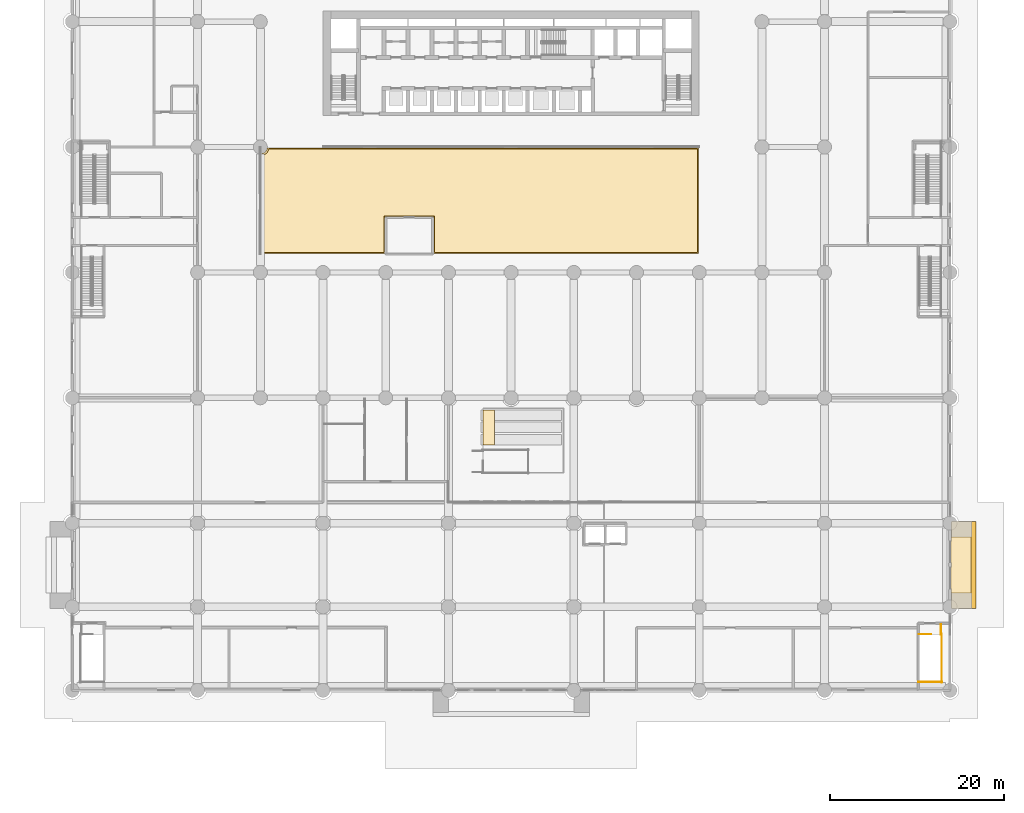
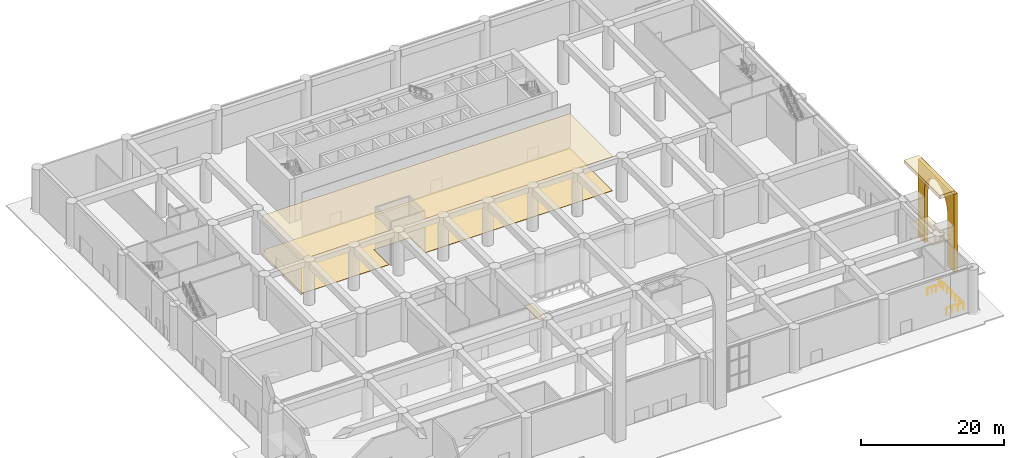
# One storey, part 27 of 32: 6 coverings, 4 railings.
"""IFC4 building model written with IfcOpenShell, lengths in metres."""

from ifc_helpers import new_model, si_unit, direction, frame, origin, origin_2d, place, context, subcontext, project, spatial, polyline, circle, outline, extrude, material, layer, layer_set, type_object, element, save


model = new_model("IFC4")

# Units and contexts
model_context = context("Model", 3, precision=1e-05, world=origin(), true_north=direction((0.0, 1.0)))
body_context = subcontext(model_context, "Body", "Model", "MODEL_VIEW")
ifc_project = project(units=[si_unit("LENGTHUNIT", "METRE"), si_unit("AREAUNIT", "SQUARE_METRE"), si_unit("VOLUMEUNIT", "CUBIC_METRE"), si_unit("PLANEANGLEUNIT", "RADIAN"), si_unit("MASSUNIT", "GRAM", prefix="KILO")], contexts=[model_context])

# Site, building, storey
site_placement = place(None, origin())
site = spatial("IfcSite", under=ifc_project, at=site_placement, CompositionType="ELEMENT")
building_placement = place(site_placement, origin())
building = spatial("IfcBuilding", under=site, at=building_placement, Name="Saffron Iwan Residences", CompositionType="ELEMENT")
storey_placement = place(building_placement, origin())
storey = spatial("IfcBuildingStorey", under=building, at=storey_placement, Name="L00", CompositionType="ELEMENT", Elevation=0.0)

# Coverings
ifc_material_1 = material(Name="Clear glass", Category="glass")
ifc_layer_1 = layer(ifc_material_1, 0.1201171875)
ifc_layer_set_1 = layer_set([ifc_layer_1], Name="Clear glass")
covering_type_1 = type_object("IfcCoveringType", Name="Entrance canopy, glass on steel", PredefinedType="CLADDING", material=ifc_layer_set_1)
covering_1_placement = place(storey_placement, frame((0.0, 0.0, 4.199951171875)))
element("IfcCovering", 1, at=covering_1_placement, inside=storey, type_object=covering_type_1, Name="Station entrance canopy", PredefinedType="CLADDING", context=body_context, shape_type="SweptSolid", body=[
    extrude(outline(polyline([(100.800048828125, 11.199951171875), (103.800048828125, 11.199951171875), (103.800048828125, 17.60009765625), (100.800048828125, 17.60009765625), (100.800048828125, 11.199951171875)])), origin(), (0.0, 0.0, 1.0), 0.1201171875),
])
ifc_material_2 = material(Name="Granite flooring", Category="masonry")
ifc_layer_2 = layer(ifc_material_2, 0.030029296875)
ifc_layer_set_2 = layer_set([ifc_layer_2], Name="Granite flooring")
covering_type_2 = type_object("IfcCoveringType", Name="Granite flooring 30", PredefinedType="FLOORING", material=ifc_layer_set_2)
covering_2_placement = place(storey_placement, origin())
element("IfcCovering", 2, at=covering_2_placement, inside=storey, type_object=covering_type_2, Name="Escalator landing flooring", PredefinedType="FLOORING", context=body_context, shape_type="SweptSolid", body=[
    extrude(outline(polyline([(48.5, 28.199951171875), (48.5, 32.199951171875), (47.14990234375, 32.199951171875), (47.14990234375, 28.199951171875), (48.5, 28.199951171875)])), origin(), (0.0, 0.0, 1.0), 0.030029296875),
])

# Railings
ifc_material_3 = material(Name="Steel S355", Category="steel")
railing_type = type_object("IfcRailingType", Name="Podium stair guard 1150", PredefinedType="GUARDRAIL", material=ifc_material_3)
railing_1_placement = place(storey_placement, frame((97.25, 6.449951171875, 0.0)))
element("IfcRailing", 3, at=railing_1_placement, inside=storey, type_object=railing_type, Name="L00 SE2 top well guard 1", PredefinedType="GUARDRAIL", context=body_context, shape_type="SweptSolid", body=[
    extrude(circle(Radius=0.02392578125, at=origin_2d()), frame((0.0, 0.0, 1.1259765625), z_axis=(1.0, 0.0, 0.0), x_axis=(0.0, 1.0, 0.0)), (0.0, 0.0, 1.0), 1.35009765625),
    extrude(circle(Radius=0.02099609375, at=origin_2d()), origin(), (0.0, 0.0, 1.0), 1.101806640625),
    extrude(circle(Radius=0.02099609375, at=origin_2d()), frame((0.675048828125, 0.0, 0.0)), (0.0, 0.0, 1.0), 1.101806640625),
    extrude(circle(Radius=0.02099609375, at=origin_2d()), frame((1.35009765625, 0.0, 0.0)), (0.0, 0.0, 1.0), 1.101806640625),
])
railing_2_placement = place(storey_placement, frame((99.85009765625, 6.5, 0.0)))
element("IfcRailing", 4, at=railing_2_placement, inside=storey, type_object=railing_type, Name="L00 SE2 top well guard 2", PredefinedType="GUARDRAIL", context=body_context, shape_type="SweptSolid", body=[
    extrude(circle(Radius=0.02392578125, at=origin_2d()), frame((0.0, 0.0, 1.1259765625), z_axis=(0.0, -1.0, 0.0), x_axis=(1.0, 0.0, 0.0)), (0.0, 0.0, 1.0), 5.60009765625),
    extrude(circle(Radius=0.02099609375, at=origin_2d()), origin(), (0.0, 0.0, 1.0), 1.101806640625),
    extrude(circle(Radius=0.02099609375, at=origin_2d()), frame((0.0, -1.1201171875, 0.0)), (0.0, 0.0, 1.0), 1.101806640625),
    extrude(circle(Radius=0.02099609375, at=origin_2d()), frame((0.0, -2.239990234375, 0.0)), (0.0, 0.0, 1.0), 1.101806640625),
    extrude(circle(Radius=0.02099609375, at=origin_2d()), frame((0.0, -3.360107421875, 0.0)), (0.0, 0.0, 1.0), 1.101806640625),
    extrude(circle(Radius=0.02099609375, at=origin_2d()), frame((0.0, -4.47998046875, 0.0)), (0.0, 0.0, 1.0), 1.101806640625),
    extrude(circle(Radius=0.02099609375, at=origin_2d()), frame((0.0, -5.60009765625, 0.0)), (0.0, 0.0, 1.0), 1.101806640625),
])
railing_3_placement = place(storey_placement, frame((97.14990234375, 0.949951171875, 0.0)))
element("IfcRailing", 5, at=railing_3_placement, inside=storey, type_object=railing_type, Name="L00 SE2 top well guard 3", PredefinedType="GUARDRAIL", context=body_context, shape_type="SweptSolid", body=[
    extrude(circle(Radius=0.02392578125, at=origin_2d()), frame((0.0, 0.0, 1.1259765625), z_axis=(1.0, 0.0, 0.0), x_axis=(0.0, 1.0, 0.0)), (0.0, 0.0, 1.0), 2.75),
    extrude(circle(Radius=0.02099609375, at=origin_2d()), origin(), (0.0, 0.0, 1.0), 1.101806640625),
    extrude(circle(Radius=0.02099609375, at=origin_2d()), frame((0.916748046875, 0.0, 0.0)), (0.0, 0.0, 1.0), 1.101806640625),
    extrude(circle(Radius=0.02099609375, at=origin_2d()), frame((1.833251953125, 0.0, 0.0)), (0.0, 0.0, 1.0), 1.101806640625),
    extrude(circle(Radius=0.02099609375, at=origin_2d()), frame((2.75, 0.0, 0.0)), (0.0, 0.0, 1.0), 1.101806640625),
])
railing_4_placement = place(storey_placement, frame((99.75, 7.60009765625, 0.0)))
element("IfcRailing", 6, at=railing_4_placement, inside=storey, type_object=railing_type, Name="L00 SE2 top well guard 4", PredefinedType="GUARDRAIL", context=body_context, shape_type="SweptSolid", body=[
    extrude(circle(Radius=0.02392578125, at=origin_2d()), frame((0.0, 0.0, 1.1259765625), z_axis=(0.0, -1.0, 0.0), x_axis=(1.0, 0.0, 0.0)), (0.0, 0.0, 1.0), 1.2001953125),
    extrude(circle(Radius=0.02099609375, at=origin_2d()), origin(), (0.0, 0.0, 1.0), 1.101806640625),
    extrude(circle(Radius=0.02099609375, at=origin_2d()), frame((0.0, -0.60009765625, 0.0)), (0.0, 0.0, 1.0), 1.101806640625),
    extrude(circle(Radius=0.02099609375, at=origin_2d()), frame((0.0, -1.2001953125, 0.0)), (0.0, 0.0, 1.0), 1.101806640625),
])

# Coverings
ifc_material_4 = material(Name="Terracotta coloured precast concrete C40/50", Category="masonry")
ifc_layer_3 = layer(ifc_material_4, 0.60009765625)
ifc_layer_set_3 = layer_set([ifc_layer_3], Name="Terracotta coloured precast concrete C40/50")
covering_type_3 = type_object("IfcCoveringType", Name="Portal arch, precast concrete", PredefinedType="CLADDING", material=ifc_layer_set_3)
covering_3_placement = place(storey_placement, frame((103.199951171875, 9.39990234375, 0.0), z_axis=(-1.0, 0.0, 0.0), x_axis=(0.0, 0.0, 1.0)))
element("IfcCovering", 7, at=covering_3_placement, inside=storey, type_object=covering_type_3, Name="PORTAL ARCH END", PredefinedType="CLADDING", context=body_context, shape_type="SweptSolid", body=[
    extrude(outline(polyline([(0.0, 0.0), (13.199951171875, 0.0), (13.199951171875, 10.0), (0.0, 10.0), (0.0, 8.2001953125), (8.800048828125, 8.2001953125), (9.470947265625, 8.14111328125), (10.1220703125, 7.966064453125), (10.73291015625, 7.68115234375), (11.283935546875, 7.293212890625), (11.760009765625, 6.816162109375), (12.14501953125, 6.26318359375), (12.427978515625, 5.651123046875), (12.60009765625, 5.0), (12.427978515625, 4.34912109375), (12.14501953125, 3.737060546875), (11.760009765625, 3.18408203125), (11.283935546875, 2.70703125), (10.73291015625, 2.319091796875), (10.1220703125, 2.0341796875), (9.470947265625, 1.859130859375), (8.800048828125, 1.800048828125), (0.0, 1.800048828125), (0.0, 0.0)])), origin(), (0.0, 0.0, -1.0), 0.60009765625),
])
ifc_layer_4 = layer(ifc_material_4, 0.60009765625)
ifc_layer_set_4 = layer_set([ifc_layer_4], Name="Terracotta coloured precast concrete C40/50")
covering_type_4 = type_object("IfcCoveringType", Name="Portal porch roof, precast concrete", PredefinedType="CLADDING", material=ifc_layer_set_4)
covering_4_placement = place(storey_placement, frame((0.0, 0.0, 13.199951171875)))
element("IfcCovering", 8, at=covering_4_placement, inside=storey, type_object=covering_type_4, Name="PORTAL PORCH ROOF END", PredefinedType="CLADDING", context=body_context, shape_type="SweptSolid", body=[
    extrude(outline(polyline([(100.949951171875, 9.39990234375), (100.949951171875, 19.39990234375), (103.35009765625, 19.39990234375), (103.35009765625, 9.39990234375), (100.949951171875, 9.39990234375)])), origin(), (0.0, 0.0, 1.0), 0.60009765625),
])
ifc_material_5 = material(Name="Plasterboard ceiling")
ifc_layer_5 = layer(ifc_material_5, 0.014892578125)
ifc_layer_set_5 = layer_set([ifc_layer_5], Name="Plasterboard ceiling")
covering_type_5 = type_object("IfcCoveringType", Name="Suspended ceiling, plasterboard 15", PredefinedType="CEILING", material=ifc_layer_set_5)
covering_5_placement = place(storey_placement, frame((0.0, 0.0, 5.885009765625)))
element("IfcCovering", 9, at=covering_5_placement, inside=storey, type_object=covering_type_5, Name="Residential lobby ceiling", PredefinedType="CEILING", context=body_context, shape_type="SweptSolid", body=[
    extrude(outline(polyline([(21.699951171875, 61.610107421875), (21.756103515625, 61.614990234375), (21.906005859375, 61.660888671875), (22.0439453125, 61.735107421875), (22.166015625, 61.833984375), (22.264892578125, 61.9560546875), (22.339111328125, 62.093994140625), (22.385009765625, 62.243896484375), (22.389892578125, 62.300048828125), (71.89990234375, 62.300048828125), (71.89990234375, 50.199951171875), (41.5, 50.199951171875), (41.5, 54.39990234375), (35.89990234375, 54.39990234375), (35.89990234375, 50.199951171875), (21.699951171875, 50.199951171875), (21.699951171875, 61.610107421875)])), origin(), (0.0, 0.0, 1.0), 0.014892578125),
])
ifc_material_6 = material(Name="Terrazzo flooring")
ifc_layer_6 = layer(ifc_material_6, 0.0400390625)
ifc_layer_set_6 = layer_set([ifc_layer_6], Name="Terrazzo flooring")
covering_type_6 = type_object("IfcCoveringType", Name="Terrazzo flooring 40", PredefinedType="FLOORING", material=ifc_layer_set_6)
covering_6_placement = place(storey_placement, origin())
element("IfcCovering", 10, at=covering_6_placement, inside=storey, type_object=covering_type_6, Name="Residential lobby flooring", PredefinedType="FLOORING", context=body_context, shape_type="SweptSolid", body=[
    extrude(outline(polyline([(21.800048828125, 61.419921875), (21.889892578125, 61.443115234375), (21.98291015625, 61.47607421875), (22.071044921875, 61.51806640625), (22.156005859375, 61.569091796875), (22.23388671875, 61.626953125), (22.306884765625, 61.693115234375), (22.373046875, 61.76611328125), (22.430908203125, 61.843994140625), (22.48193359375, 61.928955078125), (22.52392578125, 62.01708984375), (22.556884765625, 62.110107421875), (22.580078125, 62.199951171875), (71.800048828125, 62.199951171875), (71.800048828125, 50.300048828125), (41.60009765625, 50.300048828125), (41.60009765625, 54.5), (35.800048828125, 54.5), (35.800048828125, 50.300048828125), (21.800048828125, 50.300048828125), (21.800048828125, 61.419921875)])), origin(), (0.0, 0.0, 1.0), 0.0400390625),
])

save(model, "model.ifc")
